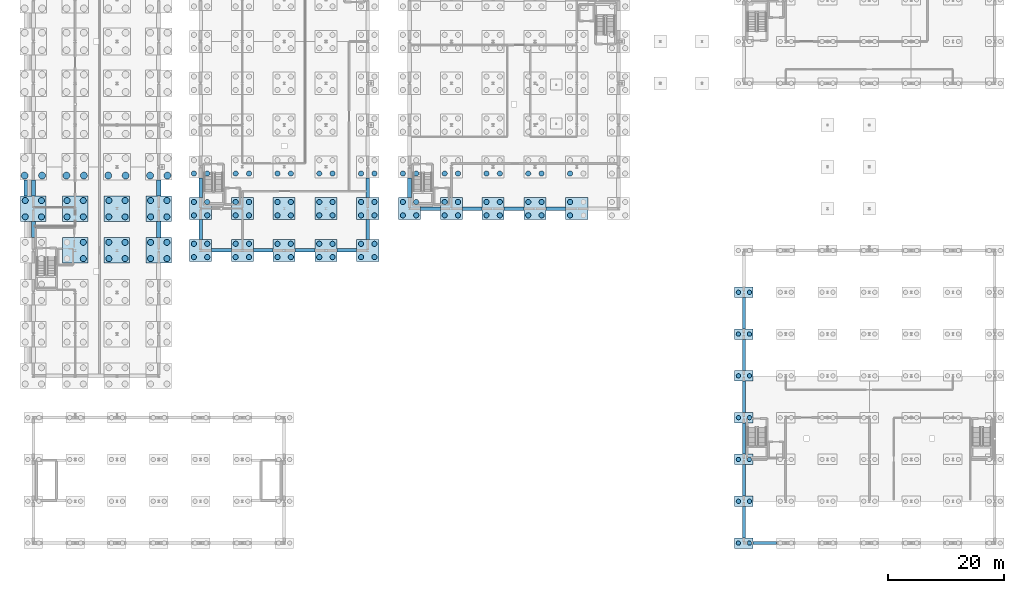
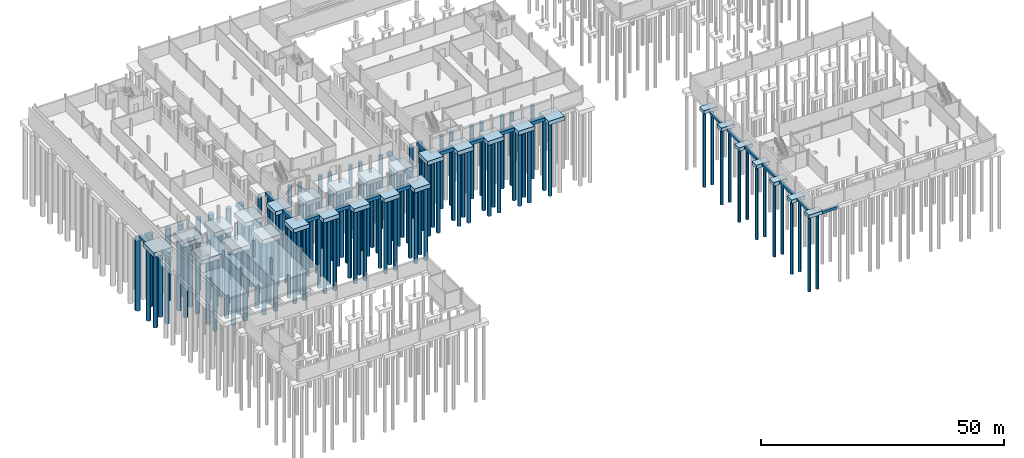
# One storey, part 2 of 50: 125 piles, 54 footings.
"""IFC4 building model written with IfcOpenShell, lengths in metres."""

from ifc_helpers import new_model, si_unit, direction, frame, origin, origin_2d, place, context, subcontext, project, spatial, rectangle, circle, extrude, material, layer, layer_set, material_profile, profile_set, type_object, element, save


model = new_model("IFC4")

# Units and contexts
model_context = context("Model", 3, precision=1e-05, world=origin(), true_north=direction((0.0, 1.0)))
body_context = subcontext(model_context, "Body", "Model", "MODEL_VIEW")
ifc_project = project(units=[si_unit("LENGTHUNIT", "METRE"), si_unit("AREAUNIT", "SQUARE_METRE"), si_unit("VOLUMEUNIT", "CUBIC_METRE"), si_unit("PLANEANGLEUNIT", "RADIAN"), si_unit("MASSUNIT", "GRAM", prefix="KILO")], contexts=[model_context])

# Site, building, storey
site_placement = place(None, origin())
site = spatial("IfcSite", under=ifc_project, at=site_placement, CompositionType="ELEMENT")
building_placement = place(site_placement, origin())
building = spatial("IfcBuilding", under=site, at=building_placement, Name="Narikvali Park Central Library", CompositionType="ELEMENT")
storey_placement = place(building_placement, frame((0.0, 0.0, -4.199951171875)))
storey = spatial("IfcBuildingStorey", under=building, at=storey_placement, Name="B1", CompositionType="ELEMENT", Elevation=-4.199951171875)

# Piles
ifc_material = material(Name="Concrete C35/45", Category="concrete")
ifc_material_profile_1 = material_profile(ifc_material, circle(Radius=0.52490234375, at=origin_2d()), Name="PILE D1050")
ifc_profile_set_1 = profile_set([ifc_material_profile_1], Name="Concrete C35/45")
pile_type_1 = type_object("IfcPileType", Name="Bored Pile D1050", PredefinedType="BORED", material=ifc_profile_set_1)
for number, where, z_axis, x_axis, name in (
    (1, (-1.39990234375, 56.199951171875, -1.60009765625), (0.0, 0.0, -1.0), (1.0, 0.0, 0.0), "Bored Pile (-1.40,56.20)"),
    (2, (1.39990234375, 56.199951171875, -1.60009765625), (0.0, 0.0, -1.0), (1.0, 0.0, 0.0), "Bored Pile (1.40,56.20)"),
    (3, (-1.39990234375, 59.0, -1.60009765625), (0.0, 0.0, -1.0), (1.0, 0.0, 0.0), "Bored Pile (-1.40,59.00)"),
    (4, (1.39990234375, 59.0, -1.60009765625), (0.0, 0.0, -1.0), (1.0, 0.0, 0.0), "Bored Pile (1.40,59.00)"),
    (5, (8.60009765625, 49.0, -1.60009765625), (0.0, 0.0, -1.0), (1.0, 0.0, 0.0), "Bored Pile (8.60,49.00)"),
    (6, (8.60009765625, 51.800048828125, -1.60009765625), (0.0, 0.0, -1.0), (1.0, 0.0, 0.0), "Bored Pile (8.60,51.80)"),
    (7, (5.800048828125, 56.199951171875, -1.60009765625), (0.0, 0.0, -1.0), (1.0, 0.0, 0.0), "Bored Pile (5.80,56.20)"),
    (8, (8.60009765625, 56.199951171875, -1.60009765625), (0.0, 0.0, -1.0), (1.0, 0.0, 0.0), "Bored Pile (8.60,56.20)"),
    (9, (5.800048828125, 59.0, -1.60009765625), (0.0, 0.0, -1.0), (1.0, 0.0, 0.0), "Bored Pile (5.80,59.00)"),
    (10, (8.60009765625, 59.0, -1.60009765625), (0.0, 0.0, -1.0), (1.0, 0.0, 0.0), "Bored Pile (8.60,59.00)"),
    (11, (13.0, 49.0, -1.60009765625), (0.0, 0.0, -1.0), (1.0, 0.0, 0.0), "Bored Pile (13.00,49.00)"),
    (12, (15.800048828125, 49.0, -1.60009765625), (0.0, 0.0, -1.0), (1.0, 0.0, 0.0), "Bored Pile (15.80,49.00)"),
    (13, (13.0, 51.800048828125, -1.60009765625), (0.0, 0.0, -1.0), (1.0, 0.0, 0.0), "Bored Pile (13.00,51.80)"),
    (14, (15.800048828125, 51.800048828125, -1.60009765625), (0.0, 0.0, -1.0), (1.0, 0.0, 0.0), "Bored Pile (15.80,51.80)"),
    (15, (13.0, 56.199951171875, -1.60009765625), (0.0, 0.0, -1.0), (1.0, 0.0, 0.0), "Bored Pile (13.00,56.20)"),
    (16, (15.800048828125, 56.199951171875, -1.60009765625), (0.0, 0.0, -1.0), (1.0, 0.0, 0.0), "Bored Pile (15.80,56.20)"),
    (17, (13.0, 59.0, -1.60009765625), (0.0, 0.0, -1.0), (1.0, 0.0, 0.0), "Bored Pile (13.00,59.00)"),
    (18, (15.800048828125, 59.0, -1.60009765625), (0.0, 0.0, -1.0), (1.0, 0.0, 0.0), "Bored Pile (15.80,59.00)"),
    (19, (20.199951171875, 49.0, -1.60009765625), (0.0, 0.0, -1.0), (1.0, 0.0, 0.0), "Bored Pile (20.20,49.00)"),
    (20, (23.0, 49.0, -1.60009765625), (0.0, 0.0, -1.0), (1.0, 0.0, 0.0), "Bored Pile (23.00,49.00)"),
    (21, (20.199951171875, 51.800048828125, -1.60009765625), (0.0, 0.0, -1.0), (1.0, 0.0, 0.0), "Bored Pile (20.20,51.80)"),
    (22, (23.0, 51.800048828125, -1.60009765625), (0.0, 0.0, -1.0), (1.0, 0.0, 0.0), "Bored Pile (23.00,51.80)"),
    (23, (20.199951171875, 56.199951171875, -1.60009765625), (0.0, 0.0, -1.0), (1.0, 0.0, 0.0), "Bored Pile (20.20,56.20)"),
    (24, (23.0, 56.199951171875, -1.60009765625), (0.0, 0.0, -1.0), (1.0, 0.0, 0.0), "Bored Pile (23.00,56.20)"),
    (25, (20.199951171875, 59.0, -1.60009765625), (0.0, 0.0, -1.0), (1.0, 0.0, 0.0), "Bored Pile (20.20,59.00)"),
    (26, (23.0, 59.0, -1.60009765625), (0.0, 0.0, -1.0), (1.0, 0.0, 0.0), "Bored Pile (23.00,59.00)"),
):
    element("IfcPile", number, at=place(storey_placement, frame(where, z_axis=z_axis, x_axis=x_axis)), inside=storey, type_object=pile_type_1, Name=name, PredefinedType="BORED", context=body_context, shape_type="SweptSolid", body=[
        extrude(circle(Radius=0.52490234375, at=origin_2d()), origin(), (0.0, 0.0, 1.0), 18.199951171875),
    ])
ifc_material_profile_2 = material_profile(ifc_material, circle(Radius=0.60009765625, at=origin_2d()), Name="PILE D1200")
ifc_profile_set_2 = profile_set([ifc_material_profile_2], Name="Concrete C35/45")
pile_type_2 = type_object("IfcPileType", Name="Bored Pile D1200", PredefinedType="BORED", material=ifc_profile_set_2)
for number, where, z_axis, x_axis, name in (
    (27, (-1.5, 63.300048828125, -1.699951171875), (0.0, 0.0, -1.0), (1.0, 0.0, 0.0), "Bored Pile (-1.50,63.30)"),
    (28, (1.5, 63.300048828125, -1.699951171875), (0.0, 0.0, -1.0), (1.0, 0.0, 0.0), "Bored Pile (1.50,63.30)"),
    (29, (5.699951171875, 63.300048828125, -1.699951171875), (0.0, 0.0, -1.0), (1.0, 0.0, 0.0), "Bored Pile (5.70,63.30)"),
    (30, (8.699951171875, 63.300048828125, -1.699951171875), (0.0, 0.0, -1.0), (1.0, 0.0, 0.0), "Bored Pile (8.70,63.30)"),
    (31, (12.89990234375, 63.300048828125, -1.699951171875), (0.0, 0.0, -1.0), (1.0, 0.0, 0.0), "Bored Pile (12.90,63.30)"),
    (32, (15.89990234375, 63.300048828125, -1.699951171875), (0.0, 0.0, -1.0), (1.0, 0.0, 0.0), "Bored Pile (15.90,63.30)"),
    (33, (20.10009765625, 63.300048828125, -1.699951171875), (0.0, 0.0, -1.0), (1.0, 0.0, 0.0), "Bored Pile (20.10,63.30)"),
    (34, (23.10009765625, 63.300048828125, -1.699951171875), (0.0, 0.0, -1.0), (1.0, 0.0, 0.0), "Bored Pile (23.10,63.30)"),
):
    element("IfcPile", number, at=place(storey_placement, frame(where, z_axis=z_axis, x_axis=x_axis)), inside=storey, type_object=pile_type_2, Name=name, PredefinedType="BORED", context=body_context, shape_type="SweptSolid", body=[
        extrude(circle(Radius=0.60009765625, at=origin_2d()), origin(), (0.0, 0.0, 1.0), 18.10009765625),
    ])
ifc_material_profile_3 = material_profile(ifc_material, circle(Radius=0.375, at=origin_2d()), Name="PILE D750")
ifc_profile_set_3 = profile_set([ifc_material_profile_3], Name="Concrete C35/45")
pile_type_3 = type_object("IfcPileType", Name="Bored Pile D750", PredefinedType="BORED", material=ifc_profile_set_3)
for number, where, z_axis, x_axis, name in (
    (35, (121.449951171875, 0.0, -0.800048828125), (0.0, 0.0, -1.0), (1.0, 0.0, 0.0), "Bored Pile (121.45,0.00)"),
    (36, (123.35009765625, 0.0, -0.800048828125), (0.0, 0.0, -1.0), (1.0, 0.0, 0.0), "Bored Pile (123.35,0.00)"),
):
    element("IfcPile", number, at=place(storey_placement, frame(where, z_axis=z_axis, x_axis=x_axis)), inside=storey, type_object=pile_type_3, Name=name, PredefinedType="BORED", context=body_context, shape_type="SweptSolid", body=[
        extrude(circle(Radius=0.375, at=origin_2d()), origin(), (0.0, 0.0, 1.0), 19.0),
    ])
for number, where, z_axis, x_axis, name in (
    (37, (121.449951171875, 7.199951171875, -1.400146484375), (0.0, 0.0, -1.0), (1.0, 0.0, 0.0), "Bored Pile (121.45,7.20)"),
    (38, (123.35009765625, 7.199951171875, -1.400146484375), (0.0, 0.0, -1.0), (1.0, 0.0, 0.0), "Bored Pile (123.35,7.20)"),
    (39, (121.449951171875, 14.39990234375, -1.400146484375), (0.0, 0.0, -1.0), (1.0, 0.0, 0.0), "Bored Pile (121.45,14.40)"),
    (40, (123.35009765625, 14.39990234375, -1.400146484375), (0.0, 0.0, -1.0), (1.0, 0.0, 0.0), "Bored Pile (123.35,14.40)"),
    (41, (121.449951171875, 21.60009765625, -1.400146484375), (0.0, 0.0, -1.0), (1.0, 0.0, 0.0), "Bored Pile (121.45,21.60)"),
    (42, (123.35009765625, 21.60009765625, -1.400146484375), (0.0, 0.0, -1.0), (1.0, 0.0, 0.0), "Bored Pile (123.35,21.60)"),
    (43, (121.449951171875, 28.800048828125, -1.400146484375), (0.0, 0.0, -1.0), (1.0, 0.0, 0.0), "Bored Pile (121.45,28.80)"),
    (44, (123.35009765625, 28.800048828125, -1.400146484375), (0.0, 0.0, -1.0), (1.0, 0.0, 0.0), "Bored Pile (123.35,28.80)"),
):
    element("IfcPile", number, at=place(storey_placement, frame(where, z_axis=z_axis, x_axis=x_axis)), inside=storey, type_object=pile_type_3, Name=name, PredefinedType="BORED", context=body_context, shape_type="SweptSolid", body=[
        extrude(circle(Radius=0.375, at=origin_2d()), origin(), (0.0, 0.0, 1.0), 18.39990234375),
    ])
for number, where, z_axis, x_axis, name in (
    (45, (121.449951171875, 36.0, -0.800048828125), (0.0, 0.0, -1.0), (1.0, 0.0, 0.0), "Bored Pile (121.45,36.00)"),
    (46, (123.35009765625, 36.0, -0.800048828125), (0.0, 0.0, -1.0), (1.0, 0.0, 0.0), "Bored Pile (123.35,36.00)"),
    (47, (121.449951171875, 43.199951171875, -0.800048828125), (0.0, 0.0, -1.0), (1.0, 0.0, 0.0), "Bored Pile (121.45,43.20)"),
    (48, (123.35009765625, 43.199951171875, -0.800048828125), (0.0, 0.0, -1.0), (1.0, 0.0, 0.0), "Bored Pile (123.35,43.20)"),
):
    element("IfcPile", number, at=place(storey_placement, frame(where, z_axis=z_axis, x_axis=x_axis)), inside=storey, type_object=pile_type_3, Name=name, PredefinedType="BORED", context=body_context, shape_type="SweptSolid", body=[
        extrude(circle(Radius=0.375, at=origin_2d()), origin(), (0.0, 0.0, 1.0), 19.0),
    ])
ifc_material_profile_4 = material_profile(ifc_material, circle(Radius=0.449951171875, at=origin_2d()), Name="PILE D900")
ifc_profile_set_4 = profile_set([ifc_material_profile_4], Name="Concrete C35/45")
pile_type_4 = type_object("IfcPileType", Name="Bored Pile D900", PredefinedType="BORED", material=ifc_profile_set_4)
for number, where, z_axis, x_axis, name in (
    (49, (63.64990234375, 56.449951171875, -1.5), (0.0, 0.0, -1.0), (1.0, 0.0, 0.0), "Bored Pile (63.65,56.45)"),
    (50, (65.949951171875, 56.449951171875, -1.5), (0.0, 0.0, -1.0), (1.0, 0.0, 0.0), "Bored Pile (65.95,56.45)"),
    (51, (63.64990234375, 58.75, -1.5), (0.0, 0.0, -1.0), (1.0, 0.0, 0.0), "Bored Pile (63.65,58.75)"),
    (52, (65.949951171875, 58.75, -1.5), (0.0, 0.0, -1.0), (1.0, 0.0, 0.0), "Bored Pile (65.95,58.75)"),
    (53, (63.64990234375, 63.64990234375, -1.5), (0.0, 0.0, -1.0), (1.0, 0.0, 0.0), "Bored Pile (63.65,63.65)"),
    (54, (65.949951171875, 63.64990234375, -1.5), (0.0, 0.0, -1.0), (1.0, 0.0, 0.0), "Bored Pile (65.95,63.65)"),
    (55, (70.85009765625, 56.449951171875, -1.5), (0.0, 0.0, -1.0), (1.0, 0.0, 0.0), "Bored Pile (70.85,56.45)"),
    (56, (73.14990234375, 56.449951171875, -1.5), (0.0, 0.0, -1.0), (1.0, 0.0, 0.0), "Bored Pile (73.15,56.45)"),
    (57, (70.85009765625, 58.75, -1.5), (0.0, 0.0, -1.0), (1.0, 0.0, 0.0), "Bored Pile (70.85,58.75)"),
    (58, (73.14990234375, 58.75, -1.5), (0.0, 0.0, -1.0), (1.0, 0.0, 0.0), "Bored Pile (73.15,58.75)"),
    (59, (70.85009765625, 63.64990234375, -1.5), (0.0, 0.0, -1.0), (1.0, 0.0, 0.0), "Bored Pile (70.85,63.65)"),
    (60, (73.14990234375, 63.64990234375, -1.5), (0.0, 0.0, -1.0), (1.0, 0.0, 0.0), "Bored Pile (73.15,63.65)"),
    (61, (78.050048828125, 56.449951171875, -1.5), (0.0, 0.0, -1.0), (1.0, 0.0, 0.0), "Bored Pile (78.05,56.45)"),
    (62, (80.35009765625, 56.449951171875, -1.5), (0.0, 0.0, -1.0), (1.0, 0.0, 0.0), "Bored Pile (80.35,56.45)"),
    (63, (78.050048828125, 58.75, -1.5), (0.0, 0.0, -1.0), (1.0, 0.0, 0.0), "Bored Pile (78.05,58.75)"),
    (64, (80.35009765625, 58.75, -1.5), (0.0, 0.0, -1.0), (1.0, 0.0, 0.0), "Bored Pile (80.35,58.75)"),
    (65, (78.050048828125, 63.64990234375, -1.5), (0.0, 0.0, -1.0), (1.0, 0.0, 0.0), "Bored Pile (78.05,63.65)"),
    (66, (80.35009765625, 63.64990234375, -1.5), (0.0, 0.0, -1.0), (1.0, 0.0, 0.0), "Bored Pile (80.35,63.65)"),
    (67, (85.25, 56.449951171875, -1.5), (0.0, 0.0, -1.0), (1.0, 0.0, 0.0), "Bored Pile (85.25,56.45)"),
    (68, (87.550048828125, 56.449951171875, -1.5), (0.0, 0.0, -1.0), (1.0, 0.0, 0.0), "Bored Pile (87.55,56.45)"),
    (69, (85.25, 58.75, -1.5), (0.0, 0.0, -1.0), (1.0, 0.0, 0.0), "Bored Pile (85.25,58.75)"),
    (70, (87.550048828125, 58.75, -1.5), (0.0, 0.0, -1.0), (1.0, 0.0, 0.0), "Bored Pile (87.55,58.75)"),
    (71, (85.25, 63.64990234375, -1.5), (0.0, 0.0, -1.0), (1.0, 0.0, 0.0), "Bored Pile (85.25,63.65)"),
    (72, (87.550048828125, 63.64990234375, -1.5), (0.0, 0.0, -1.0), (1.0, 0.0, 0.0), "Bored Pile (87.55,63.65)"),
    (73, (92.449951171875, 56.449951171875, -1.5), (0.0, 0.0, -1.0), (1.0, 0.0, 0.0), "Bored Pile (92.45,56.45)"),
    (74, (92.449951171875, 58.75, -1.5), (0.0, 0.0, -1.0), (1.0, 0.0, 0.0), "Bored Pile (92.45,58.75)"),
    (75, (92.449951171875, 63.64990234375, -1.5), (0.0, 0.0, -1.0), (1.0, 0.0, 0.0), "Bored Pile (92.45,63.65)"),
    (76, (27.64990234375, 49.25, -1.5), (0.0, 0.0, -1.0), (1.0, 0.0, 0.0), "Bored Pile (27.65,49.25)"),
    (77, (29.949951171875, 49.25, -1.5), (0.0, 0.0, -1.0), (1.0, 0.0, 0.0), "Bored Pile (29.95,49.25)"),
    (78, (27.64990234375, 51.550048828125, -1.5), (0.0, 0.0, -1.0), (1.0, 0.0, 0.0), "Bored Pile (27.65,51.55)"),
    (79, (29.949951171875, 51.550048828125, -1.5), (0.0, 0.0, -1.0), (1.0, 0.0, 0.0), "Bored Pile (29.95,51.55)"),
    (80, (27.64990234375, 56.449951171875, -1.5), (0.0, 0.0, -1.0), (1.0, 0.0, 0.0), "Bored Pile (27.65,56.45)"),
    (81, (29.949951171875, 56.449951171875, -1.5), (0.0, 0.0, -1.0), (1.0, 0.0, 0.0), "Bored Pile (29.95,56.45)"),
    (82, (27.64990234375, 58.75, -1.5), (0.0, 0.0, -1.0), (1.0, 0.0, 0.0), "Bored Pile (27.65,58.75)"),
    (83, (29.949951171875, 58.75, -1.5), (0.0, 0.0, -1.0), (1.0, 0.0, 0.0), "Bored Pile (29.95,58.75)"),
    (84, (27.64990234375, 63.64990234375, -1.5), (0.0, 0.0, -1.0), (1.0, 0.0, 0.0), "Bored Pile (27.65,63.65)"),
    (85, (29.949951171875, 63.64990234375, -1.5), (0.0, 0.0, -1.0), (1.0, 0.0, 0.0), "Bored Pile (29.95,63.65)"),
    (86, (34.85009765625, 49.25, -1.5), (0.0, 0.0, -1.0), (1.0, 0.0, 0.0), "Bored Pile (34.85,49.25)"),
    (87, (37.14990234375, 49.25, -1.5), (0.0, 0.0, -1.0), (1.0, 0.0, 0.0), "Bored Pile (37.15,49.25)"),
    (88, (34.85009765625, 51.550048828125, -1.5), (0.0, 0.0, -1.0), (1.0, 0.0, 0.0), "Bored Pile (34.85,51.55)"),
    (89, (37.14990234375, 51.550048828125, -1.5), (0.0, 0.0, -1.0), (1.0, 0.0, 0.0), "Bored Pile (37.15,51.55)"),
    (90, (34.85009765625, 56.449951171875, -1.5), (0.0, 0.0, -1.0), (1.0, 0.0, 0.0), "Bored Pile (34.85,56.45)"),
    (91, (37.14990234375, 56.449951171875, -1.5), (0.0, 0.0, -1.0), (1.0, 0.0, 0.0), "Bored Pile (37.15,56.45)"),
    (92, (34.85009765625, 58.75, -1.5), (0.0, 0.0, -1.0), (1.0, 0.0, 0.0), "Bored Pile (34.85,58.75)"),
    (93, (37.14990234375, 58.75, -1.5), (0.0, 0.0, -1.0), (1.0, 0.0, 0.0), "Bored Pile (37.15,58.75)"),
    (94, (34.85009765625, 63.64990234375, -1.5), (0.0, 0.0, -1.0), (1.0, 0.0, 0.0), "Bored Pile (34.85,63.65)"),
    (95, (37.14990234375, 63.64990234375, -1.5), (0.0, 0.0, -1.0), (1.0, 0.0, 0.0), "Bored Pile (37.15,63.65)"),
    (96, (42.050048828125, 49.25, -1.5), (0.0, 0.0, -1.0), (1.0, 0.0, 0.0), "Bored Pile (42.05,49.25)"),
    (97, (44.35009765625, 49.25, -1.5), (0.0, 0.0, -1.0), (1.0, 0.0, 0.0), "Bored Pile (44.35,49.25)"),
    (98, (42.050048828125, 51.550048828125, -1.5), (0.0, 0.0, -1.0), (1.0, 0.0, 0.0), "Bored Pile (42.05,51.55)"),
    (99, (44.35009765625, 51.550048828125, -1.5), (0.0, 0.0, -1.0), (1.0, 0.0, 0.0), "Bored Pile (44.35,51.55)"),
    (100, (42.050048828125, 56.449951171875, -1.5), (0.0, 0.0, -1.0), (1.0, 0.0, 0.0), "Bored Pile (42.05,56.45)"),
    (101, (44.35009765625, 56.449951171875, -1.5), (0.0, 0.0, -1.0), (1.0, 0.0, 0.0), "Bored Pile (44.35,56.45)"),
    (102, (42.050048828125, 58.75, -1.5), (0.0, 0.0, -1.0), (1.0, 0.0, 0.0), "Bored Pile (42.05,58.75)"),
    (103, (44.35009765625, 58.75, -1.5), (0.0, 0.0, -1.0), (1.0, 0.0, 0.0), "Bored Pile (44.35,58.75)"),
    (104, (42.050048828125, 63.64990234375, -1.5), (0.0, 0.0, -1.0), (1.0, 0.0, 0.0), "Bored Pile (42.05,63.65)"),
    (105, (44.35009765625, 63.64990234375, -1.5), (0.0, 0.0, -1.0), (1.0, 0.0, 0.0), "Bored Pile (44.35,63.65)"),
    (106, (49.25, 49.25, -1.5), (0.0, 0.0, -1.0), (1.0, 0.0, 0.0), "Bored Pile (49.25,49.25)"),
    (107, (51.550048828125, 49.25, -1.5), (0.0, 0.0, -1.0), (1.0, 0.0, 0.0), "Bored Pile (51.55,49.25)"),
    (108, (49.25, 51.550048828125, -1.5), (0.0, 0.0, -1.0), (1.0, 0.0, 0.0), "Bored Pile (49.25,51.55)"),
    (109, (51.550048828125, 51.550048828125, -1.5), (0.0, 0.0, -1.0), (1.0, 0.0, 0.0), "Bored Pile (51.55,51.55)"),
    (110, (49.25, 56.449951171875, -1.5), (0.0, 0.0, -1.0), (1.0, 0.0, 0.0), "Bored Pile (49.25,56.45)"),
    (111, (51.550048828125, 56.449951171875, -1.5), (0.0, 0.0, -1.0), (1.0, 0.0, 0.0), "Bored Pile (51.55,56.45)"),
    (112, (49.25, 58.75, -1.5), (0.0, 0.0, -1.0), (1.0, 0.0, 0.0), "Bored Pile (49.25,58.75)"),
    (113, (51.550048828125, 58.75, -1.5), (0.0, 0.0, -1.0), (1.0, 0.0, 0.0), "Bored Pile (51.55,58.75)"),
    (114, (49.25, 63.64990234375, -1.5), (0.0, 0.0, -1.0), (1.0, 0.0, 0.0), "Bored Pile (49.25,63.65)"),
    (115, (51.550048828125, 63.64990234375, -1.5), (0.0, 0.0, -1.0), (1.0, 0.0, 0.0), "Bored Pile (51.55,63.65)"),
    (116, (56.449951171875, 49.25, -1.5), (0.0, 0.0, -1.0), (1.0, 0.0, 0.0), "Bored Pile (56.45,49.25)"),
    (117, (58.75, 49.25, -1.5), (0.0, 0.0, -1.0), (1.0, 0.0, 0.0), "Bored Pile (58.75,49.25)"),
    (118, (56.449951171875, 51.550048828125, -1.5), (0.0, 0.0, -1.0), (1.0, 0.0, 0.0), "Bored Pile (56.45,51.55)"),
    (119, (58.75, 51.550048828125, -1.5), (0.0, 0.0, -1.0), (1.0, 0.0, 0.0), "Bored Pile (58.75,51.55)"),
    (120, (56.449951171875, 56.449951171875, -1.5), (0.0, 0.0, -1.0), (1.0, 0.0, 0.0), "Bored Pile (56.45,56.45)"),
    (121, (58.75, 56.449951171875, -1.5), (0.0, 0.0, -1.0), (1.0, 0.0, 0.0), "Bored Pile (58.75,56.45)"),
    (122, (56.449951171875, 58.75, -1.5), (0.0, 0.0, -1.0), (1.0, 0.0, 0.0), "Bored Pile (56.45,58.75)"),
    (123, (58.75, 58.75, -1.5), (0.0, 0.0, -1.0), (1.0, 0.0, 0.0), "Bored Pile (58.75,58.75)"),
    (124, (56.449951171875, 63.64990234375, -1.5), (0.0, 0.0, -1.0), (1.0, 0.0, 0.0), "Bored Pile (56.45,63.65)"),
    (125, (58.75, 63.64990234375, -1.5), (0.0, 0.0, -1.0), (1.0, 0.0, 0.0), "Bored Pile (58.75,63.65)"),
):
    element("IfcPile", number, at=place(storey_placement, frame(where, z_axis=z_axis, x_axis=x_axis)), inside=storey, type_object=pile_type_4, Name=name, PredefinedType="BORED", context=body_context, shape_type="SweptSolid", body=[
        extrude(circle(Radius=0.449951171875, at=origin_2d()), origin(), (0.0, 0.0, 1.0), 18.300048828125),
    ])

# Footings
ifc_material_profile_5 = material_profile(ifc_material, rectangle(XDim=0.60009765625, YDim=0.800048828125, at=origin_2d()), Name="RC GB 600x800")
ifc_profile_set_5 = profile_set([ifc_material_profile_5], Name="Concrete C35/45")
footing_type_1 = type_object("IfcFootingType", Name="Foundation Strip Tie Footing 600x800", PredefinedType="STRIP_FOOTING", material=ifc_profile_set_5)
for number, where, z_axis, x_axis, name in (
    (126, (30.699951171875, 50.39990234375, -1.0), (1.0, 0.0, 0.0), (0.0, 1.0, 0.0), "V4 Foundation Tie Beam X"),
    (127, (37.89990234375, 50.39990234375, -1.0), (1.0, 0.0, 0.0), (0.0, 1.0, 0.0), "V4 Foundation Tie Beam X"),
):
    element("IfcFooting", number, at=place(storey_placement, frame(where, z_axis=z_axis, x_axis=x_axis)), inside=storey, type_object=footing_type_1, Name=name, PredefinedType="STRIP_FOOTING", context=body_context, shape_type="SweptSolid", body=[
        extrude(rectangle(XDim=0.60009765625, YDim=0.800048828125, at=origin_2d()), origin(), (0.0, 0.0, 1.0), 3.400146484375),
    ])
for number, where, z_axis, x_axis, name in (
    (128, (45.10009765625, 50.39990234375, -1.0), (1.0, 0.0, 0.0), (0.0, 1.0, 0.0), "V4 Foundation Tie Beam X"),
    (129, (52.300048828125, 50.39990234375, -1.0), (1.0, 0.0, 0.0), (0.0, 1.0, 0.0), "V4 Foundation Tie Beam X"),
    (130, (28.800048828125, 52.300048828125, -1.0), (0.0, 1.0, 0.0), (-1.0, 0.0, 0.0), "V4 Foundation Tie Beam Y"),
    (131, (28.800048828125, 59.5, -1.0), (0.0, 1.0, 0.0), (-1.0, 0.0, 0.0), "V4 Foundation Tie Beam Y"),
    (132, (57.60009765625, 52.300048828125, -1.0), (0.0, 1.0, 0.0), (-1.0, 0.0, 0.0), "V4 Foundation Tie Beam Y"),
    (133, (57.60009765625, 59.5, -1.0), (0.0, 1.0, 0.0), (-1.0, 0.0, 0.0), "V4 Foundation Tie Beam Y"),
):
    element("IfcFooting", number, at=place(storey_placement, frame(where, z_axis=z_axis, x_axis=x_axis)), inside=storey, type_object=footing_type_1, Name=name, PredefinedType="STRIP_FOOTING", context=body_context, shape_type="SweptSolid", body=[
        extrude(rectangle(XDim=0.60009765625, YDim=0.800048828125, at=origin_2d()), origin(), (0.0, 0.0, 1.0), 3.39990234375),
    ])
footing_1_placement = place(storey_placement, frame((-1.35009765625, 59.800048828125, -1.0), z_axis=(0.0, 1.0, 0.0), x_axis=(-1.0, 0.0, 0.0)))
element("IfcFooting", 134, at=footing_1_placement, inside=storey, type_object=footing_type_1, Name="West Stacks Fin Tie Footing (57.6..64.8)", PredefinedType="STRIP_FOOTING", context=body_context, shape_type="SweptSolid", body=[
    extrude(rectangle(XDim=0.60009765625, YDim=0.800048828125, at=origin_2d()), origin(), (0.0, 0.0, 1.0), 2.699951171875),
])
ifc_layer_1 = layer(ifc_material, 1.0, Name="Concrete C35/45")
ifc_layer_set_1 = layer_set([ifc_layer_1], Name="Concrete C35/45")
footing_type_2 = type_object("IfcFootingType", Name="Four Pile Cap 3800x3800x1000", PredefinedType="PILE_CAP", material=ifc_layer_set_1)
for number, where, z_axis, x_axis, name in (
    (135, (64.800048828125, 57.60009765625, -1.60009765625), (0.0, 0.0, 1.0), (1.0, 0.0, 0.0), "Pile Cap (64.8,57.6)"),
    (136, (72.0, 57.60009765625, -1.60009765625), (0.0, 0.0, 1.0), (1.0, 0.0, 0.0), "Pile Cap (72.0,57.6)"),
    (137, (79.199951171875, 57.60009765625, -1.60009765625), (0.0, 0.0, 1.0), (1.0, 0.0, 0.0), "Pile Cap (79.2,57.6)"),
    (138, (86.39990234375, 57.60009765625, -1.60009765625), (0.0, 0.0, 1.0), (1.0, 0.0, 0.0), "Pile Cap (86.4,57.6)"),
    (139, (93.60009765625, 57.60009765625, -1.60009765625), (0.0, 0.0, 1.0), (1.0, 0.0, 0.0), "Pile Cap (93.6,57.6)"),
    (140, (28.800048828125, 50.39990234375, -1.60009765625), (0.0, 0.0, 1.0), (1.0, 0.0, 0.0), "Pile Cap (28.8,50.4)"),
    (141, (28.800048828125, 57.60009765625, -1.60009765625), (0.0, 0.0, 1.0), (1.0, 0.0, 0.0), "Pile Cap (28.8,57.6)"),
    (142, (36.0, 50.39990234375, -1.60009765625), (0.0, 0.0, 1.0), (1.0, 0.0, 0.0), "Pile Cap (36.0,50.4)"),
    (143, (36.0, 57.60009765625, -1.60009765625), (0.0, 0.0, 1.0), (1.0, 0.0, 0.0), "Pile Cap (36.0,57.6)"),
    (144, (43.199951171875, 50.39990234375, -1.60009765625), (0.0, 0.0, 1.0), (1.0, 0.0, 0.0), "Pile Cap (43.2,50.4)"),
    (145, (43.199951171875, 57.60009765625, -1.60009765625), (0.0, 0.0, 1.0), (1.0, 0.0, 0.0), "Pile Cap (43.2,57.6)"),
    (146, (50.39990234375, 50.39990234375, -1.60009765625), (0.0, 0.0, 1.0), (1.0, 0.0, 0.0), "Pile Cap (50.4,50.4)"),
    (147, (50.39990234375, 57.60009765625, -1.60009765625), (0.0, 0.0, 1.0), (1.0, 0.0, 0.0), "Pile Cap (50.4,57.6)"),
    (148, (57.60009765625, 50.39990234375, -1.60009765625), (0.0, 0.0, 1.0), (1.0, 0.0, 0.0), "Pile Cap (57.6,50.4)"),
    (149, (57.60009765625, 57.60009765625, -1.60009765625), (0.0, 0.0, 1.0), (1.0, 0.0, 0.0), "Pile Cap (57.6,57.6)"),
):
    element("IfcFooting", number, at=place(storey_placement, frame(where, z_axis=z_axis, x_axis=x_axis)), inside=storey, type_object=footing_type_2, Name=name, PredefinedType="PILE_CAP", context=body_context, shape_type="SweptSolid", body=[
        extrude(rectangle(XDim=3.800048828125, YDim=3.800048828125, at=origin_2d()), origin(), (0.0, 0.0, 1.0), 1.0),
    ])
ifc_layer_2 = layer(ifc_material, 1.10009765625, Name="Concrete C35/45")
ifc_layer_set_2 = layer_set([ifc_layer_2], Name="Concrete C35/45")
footing_type_3 = type_object("IfcFootingType", Name="Four Pile Cap 4400x4400x1100", PredefinedType="PILE_CAP", material=ifc_layer_set_2)
for number, where, z_axis, x_axis, name in (
    (150, (0.0, 57.60009765625, -1.7001953125), (0.0, 0.0, 1.0), (1.0, 0.0, 0.0), "Pile Cap (0.0,57.6)"),
    (151, (7.199951171875, 50.39990234375, -1.7001953125), (0.0, 0.0, 1.0), (1.0, 0.0, 0.0), "Pile Cap (7.2,50.4)"),
    (152, (7.199951171875, 57.60009765625, -1.7001953125), (0.0, 0.0, 1.0), (1.0, 0.0, 0.0), "Pile Cap (7.2,57.6)"),
    (153, (14.39990234375, 50.39990234375, -1.7001953125), (0.0, 0.0, 1.0), (1.0, 0.0, 0.0), "Pile Cap (14.4,50.4)"),
    (154, (14.39990234375, 57.60009765625, -1.7001953125), (0.0, 0.0, 1.0), (1.0, 0.0, 0.0), "Pile Cap (14.4,57.6)"),
    (155, (21.60009765625, 50.39990234375, -1.7001953125), (0.0, 0.0, 1.0), (1.0, 0.0, 0.0), "Pile Cap (21.6,50.4)"),
    (156, (21.60009765625, 57.60009765625, -1.7001953125), (0.0, 0.0, 1.0), (1.0, 0.0, 0.0), "Pile Cap (21.6,57.6)"),
):
    element("IfcFooting", number, at=place(storey_placement, frame(where, z_axis=z_axis, x_axis=x_axis)), inside=storey, type_object=footing_type_3, Name=name, PredefinedType="PILE_CAP", context=body_context, shape_type="SweptSolid", body=[
        extrude(rectangle(XDim=4.39990234375, YDim=4.39990234375, at=origin_2d()), origin(), (0.0, 0.0, 1.0), 1.10009765625),
    ])
ifc_material_profile_6 = material_profile(ifc_material, rectangle(XDim=0.699951171875, YDim=0.89990234375, at=origin_2d()), Name="RC GB 700x900")
ifc_profile_set_6 = profile_set([ifc_material_profile_6], Name="Concrete C35/45")
footing_type_4 = type_object("IfcFootingType", Name="Heavy Archive Tie Footing 700x900", PredefinedType="STRIP_FOOTING", material=ifc_profile_set_6)
footing_2_placement = place(storey_placement, frame((0.0, 52.60009765625, -1.0), z_axis=(0.0, 1.0, 0.0), x_axis=(-1.0, 0.0, 0.0)))
element("IfcFooting", 157, at=footing_2_placement, inside=storey, type_object=footing_type_4, Name="V5 Foundation Tie Beam Y", PredefinedType="STRIP_FOOTING", context=body_context, shape_type="SweptSolid", body=[
    extrude(rectangle(XDim=0.699951171875, YDim=0.89990234375, at=origin_2d()), origin(), (0.0, 0.0, 1.0), 2.7998046875),
])
footing_3_placement = place(storey_placement, frame((0.0, 59.800048828125, -1.0), z_axis=(0.0, 1.0, 0.0), x_axis=(-1.0, 0.0, 0.0)))
element("IfcFooting", 158, at=footing_3_placement, inside=storey, type_object=footing_type_4, Name="V5 Foundation Tie Beam Y", PredefinedType="STRIP_FOOTING", context=body_context, shape_type="SweptSolid", body=[
    extrude(rectangle(XDim=0.699951171875, YDim=0.89990234375, at=origin_2d()), origin(), (0.0, 0.0, 1.0), 2.699951171875),
])
footing_4_placement = place(storey_placement, frame((21.60009765625, 52.60009765625, -1.0), z_axis=(0.0, 1.0, 0.0), x_axis=(-1.0, 0.0, 0.0)))
element("IfcFooting", 159, at=footing_4_placement, inside=storey, type_object=footing_type_4, Name="V5 Foundation Tie Beam Y", PredefinedType="STRIP_FOOTING", context=body_context, shape_type="SweptSolid", body=[
    extrude(rectangle(XDim=0.699951171875, YDim=0.89990234375, at=origin_2d()), origin(), (0.0, 0.0, 1.0), 2.7998046875),
])
footing_5_placement = place(storey_placement, frame((21.60009765625, 59.800048828125, -1.0), z_axis=(0.0, 1.0, 0.0), x_axis=(-1.0, 0.0, 0.0)))
element("IfcFooting", 160, at=footing_5_placement, inside=storey, type_object=footing_type_4, Name="V5 Foundation Tie Beam Y", PredefinedType="STRIP_FOOTING", context=body_context, shape_type="SweptSolid", body=[
    extrude(rectangle(XDim=0.699951171875, YDim=0.89990234375, at=origin_2d()), origin(), (0.0, 0.0, 1.0), 2.699951171875),
])
ifc_material_profile_7 = material_profile(ifc_material, rectangle(XDim=0.5, YDim=0.699951171875, at=origin_2d()), Name="RC GB 500x700")
ifc_profile_set_7 = profile_set([ifc_material_profile_7], Name="Concrete C35/45")
footing_type_5 = type_object("IfcFootingType", Name="Pavilion Strip Tie Footing 500x700", PredefinedType="STRIP_FOOTING", material=ifc_profile_set_7)
footing_6_placement = place(storey_placement, frame((124.0, 0.0, -1.0), z_axis=(1.0, 0.0, 0.0), x_axis=(0.0, 1.0, 0.0)))
element("IfcFooting", 161, at=footing_6_placement, inside=storey, type_object=footing_type_5, Name="V6 Foundation Tie Beam X", PredefinedType="STRIP_FOOTING", context=body_context, shape_type="SweptSolid", body=[
    extrude(rectangle(XDim=0.5, YDim=0.699951171875, at=origin_2d()), origin(), (0.0, 0.0, 1.0), 4.0),
])
footing_7_placement = place(storey_placement, frame((122.39990234375, 0.89990234375, -1.0), z_axis=(0.0, 1.0, 0.0), x_axis=(-1.0, 0.0, 0.0)))
element("IfcFooting", 162, at=footing_7_placement, inside=storey, type_object=footing_type_5, Name="V6 Foundation Tie Beam Y", PredefinedType="STRIP_FOOTING", context=body_context, shape_type="SweptSolid", body=[
    extrude(rectangle(XDim=0.5, YDim=0.699951171875, at=origin_2d()), origin(), (0.0, 0.0, 1.0), 5.400146484375),
])
for number, where, z_axis, x_axis, name in (
    (163, (122.39990234375, 8.10009765625, -1.0), (0.0, 1.0, 0.0), (-1.0, 0.0, 0.0), "V6 Foundation Tie Beam Y"),
    (164, (122.39990234375, 15.300048828125, -1.0), (0.0, 1.0, 0.0), (-1.0, 0.0, 0.0), "V6 Foundation Tie Beam Y"),
    (165, (122.39990234375, 22.5, -1.0), (0.0, 1.0, 0.0), (-1.0, 0.0, 0.0), "V6 Foundation Tie Beam Y"),
):
    element("IfcFooting", number, at=place(storey_placement, frame(where, z_axis=z_axis, x_axis=x_axis)), inside=storey, type_object=footing_type_5, Name=name, PredefinedType="STRIP_FOOTING", context=body_context, shape_type="SweptSolid", body=[
        extrude(rectangle(XDim=0.5, YDim=0.699951171875, at=origin_2d()), origin(), (0.0, 0.0, 1.0), 5.39990234375),
    ])
for number, where, z_axis, x_axis, name in (
    (166, (122.39990234375, 29.699951171875, -1.0), (0.0, 1.0, 0.0), (-1.0, 0.0, 0.0), "V6 Foundation Tie Beam Y"),
    (167, (122.39990234375, 36.89990234375, -1.0), (0.0, 1.0, 0.0), (-1.0, 0.0, 0.0), "V6 Foundation Tie Beam Y"),
):
    element("IfcFooting", number, at=place(storey_placement, frame(where, z_axis=z_axis, x_axis=x_axis)), inside=storey, type_object=footing_type_5, Name=name, PredefinedType="STRIP_FOOTING", context=body_context, shape_type="SweptSolid", body=[
        extrude(rectangle(XDim=0.5, YDim=0.699951171875, at=origin_2d()), origin(), (0.0, 0.0, 1.0), 5.400146484375),
    ])
ifc_material_profile_8 = material_profile(ifc_material, rectangle(XDim=0.64990234375, YDim=0.85009765625, at=origin_2d()), Name="RC GB 650x850")
ifc_profile_set_8 = profile_set([ifc_material_profile_8], Name="Concrete C35/45")
footing_type_6 = type_object("IfcFootingType", Name="Rotunda Strip Tie Footing 650x850", PredefinedType="STRIP_FOOTING", material=ifc_profile_set_8)
for number, where, z_axis, x_axis, name in (
    (168, (66.699951171875, 57.60009765625, -1.0), (1.0, 0.0, 0.0), (0.0, 1.0, 0.0), "V1 Foundation Tie Beam X"),
    (169, (73.89990234375, 57.60009765625, -1.0), (1.0, 0.0, 0.0), (0.0, 1.0, 0.0), "V1 Foundation Tie Beam X"),
):
    element("IfcFooting", number, at=place(storey_placement, frame(where, z_axis=z_axis, x_axis=x_axis)), inside=storey, type_object=footing_type_6, Name=name, PredefinedType="STRIP_FOOTING", context=body_context, shape_type="SweptSolid", body=[
        extrude(rectangle(XDim=0.64990234375, YDim=0.85009765625, at=origin_2d()), origin(), (0.0, 0.0, 1.0), 3.400146484375),
    ])
for number, where, z_axis, x_axis, name in (
    (170, (81.10009765625, 57.60009765625, -1.0), (1.0, 0.0, 0.0), (0.0, 1.0, 0.0), "V1 Foundation Tie Beam X"),
    (171, (88.300048828125, 57.60009765625, -1.0), (1.0, 0.0, 0.0), (0.0, 1.0, 0.0), "V1 Foundation Tie Beam X"),
    (172, (64.800048828125, 59.5, -1.0), (0.0, 1.0, 0.0), (-1.0, 0.0, 0.0), "V1 Foundation Tie Beam Y"),
):
    element("IfcFooting", number, at=place(storey_placement, frame(where, z_axis=z_axis, x_axis=x_axis)), inside=storey, type_object=footing_type_6, Name=name, PredefinedType="STRIP_FOOTING", context=body_context, shape_type="SweptSolid", body=[
        extrude(rectangle(XDim=0.64990234375, YDim=0.85009765625, at=origin_2d()), origin(), (0.0, 0.0, 1.0), 3.39990234375),
    ])
ifc_layer_3 = layer(ifc_material, 0.89990234375, Name="Concrete C35/45")
ifc_layer_set_3 = layer_set([ifc_layer_3], Name="Concrete C35/45")
footing_type_7 = type_object("IfcFootingType", Name="Two Pile Cap 3200x1800x900", PredefinedType="PILE_CAP", material=ifc_layer_set_3)
for number, where, z_axis, x_axis, name in (
    (173, (122.39990234375, 0.0, -0.89990234375), (0.0, 0.0, 1.0), (1.0, 0.0, 0.0), "Pile Cap (122.4,0.0)"),
    (174, (122.39990234375, 7.199951171875, -1.5), (0.0, 0.0, 1.0), (1.0, 0.0, 0.0), "Pile Cap (122.4,7.2)"),
    (175, (122.39990234375, 14.39990234375, -1.5), (0.0, 0.0, 1.0), (1.0, 0.0, 0.0), "Pile Cap (122.4,14.4)"),
    (176, (122.39990234375, 21.60009765625, -1.5), (0.0, 0.0, 1.0), (1.0, 0.0, 0.0), "Pile Cap (122.4,21.6)"),
    (177, (122.39990234375, 28.800048828125, -1.5), (0.0, 0.0, 1.0), (1.0, 0.0, 0.0), "Pile Cap (122.4,28.8)"),
    (178, (122.39990234375, 36.0, -0.89990234375), (0.0, 0.0, 1.0), (1.0, 0.0, 0.0), "Pile Cap (122.4,36.0)"),
    (179, (122.39990234375, 43.199951171875, -0.89990234375), (0.0, 0.0, 1.0), (1.0, 0.0, 0.0), "Pile Cap (122.4,43.2)"),
):
    element("IfcFooting", number, at=place(storey_placement, frame(where, z_axis=z_axis, x_axis=x_axis)), inside=storey, type_object=footing_type_7, Name=name, PredefinedType="PILE_CAP", context=body_context, shape_type="SweptSolid", body=[
        extrude(rectangle(XDim=3.199951171875, YDim=1.800048828125, at=origin_2d()), origin(), (0.0, 0.0, 1.0), 0.89990234375),
    ])

save(model, "model.ifc")
